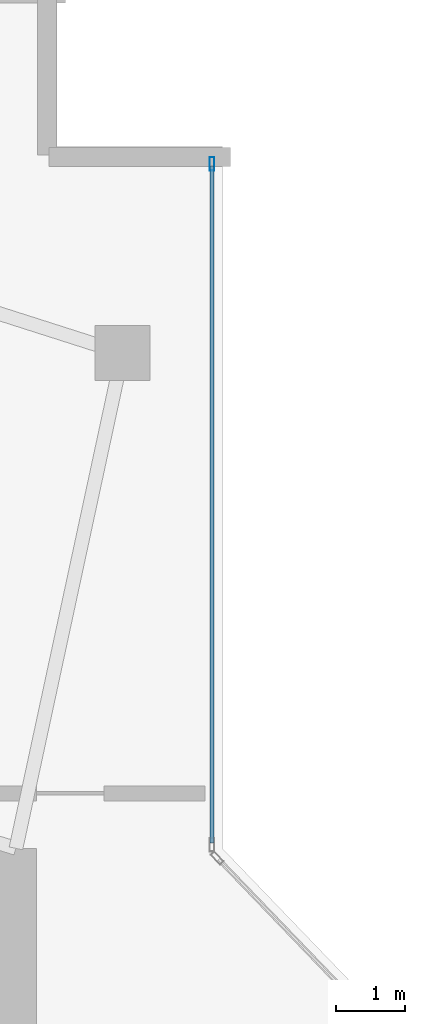
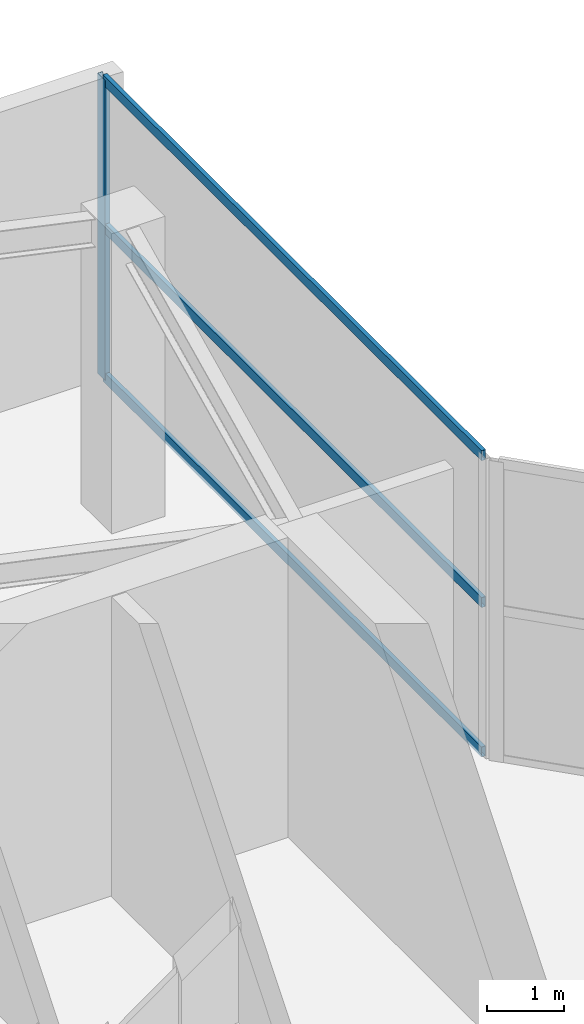
# One storey, part 18 of 22: 4 members, 1 element without a shape of its own.
"""IFC4 building model written with IfcOpenShell, lengths in metres."""

import ifcopenshell
import ifcopenshell.guid

model = None  # the IFC model being written
_history = None  # IfcOwnerHistory: only IFC2X3 demands one
_inside = {}  # id of a spatial element -> (the spatial element, [elements in it])
_under = {}  # id of a project, library or spatial element -> (it, [spatial elements below it])
_declared = {}  # id of a project -> (the project, [libraries it declares])
_typed = {}  # id of a type object -> (the type object, [elements of that type])
_made_of = {}  # id of a material, layer set ... -> (it, [elements and type objects made of it])


def new_model(schema):
    """Start an empty IFC model of exactly this schema.

    Asked for "IFC4X3", IfcOpenShell would pick the latest addendum, in which some entities
    have other attributes; the version numbers below select the first issue.
    IFC2X3 requires an IfcOwnerHistory on every rooted entity: one is made here for all.
    """
    global model, _history
    if schema == "IFC4X3":
        model = ifcopenshell.file(schema_version=(4, 3, 0, 0))
    else:
        model = ifcopenshell.file(schema=schema)
    _inside.clear()
    _under.clear()
    _declared.clear()
    _typed.clear()
    _made_of.clear()
    _history = None
    if model.schema == "IFC2X3":
        org = make("IfcOrganization", Name="unknown")
        user = make(
            "IfcPersonAndOrganization",
            ThePerson=make("IfcPerson", FamilyName="unknown"),
            TheOrganization=org,
        )
        app = make(
            "IfcApplication",
            ApplicationDeveloper=org,
            Version="unknown",
            ApplicationFullName="unknown",
            ApplicationIdentifier="unknown",
        )
        _history = make(
            "IfcOwnerHistory",
            OwningUser=user,
            OwningApplication=app,
            ChangeAction="ADDED",
            CreationDate=0,
        )
    return model


def make(cls, **values):
    """One entity of the class cls with the attributes given. An attribute that is None is left unset."""
    return model.create_entity(
        cls, **{name: value for name, value in values.items() if value is not None}
    )


def rooted(cls, **values):
    """An entity with a GlobalId (a new one), such as an element, a storey or a relation."""
    return make(cls, GlobalId=ifcopenshell.guid.new(), OwnerHistory=_history, **values)


def si_unit(unit_type, name, prefix=None):
    """IfcSIUnit, for example si_unit("LENGTHUNIT", "METRE", prefix="MILLI")."""
    return make("IfcSIUnit", UnitType=unit_type, Prefix=prefix, Name=name)


def assignment(units):
    """IfcUnitAssignment: the units of a project."""
    return None if units is None else make("IfcUnitAssignment", Units=units)


def point(xyz):
    """IfcCartesianPoint."""
    return None if xyz is None else make("IfcCartesianPoint", Coordinates=xyz)


def direction(xyz):
    """IfcDirection."""
    return None if xyz is None else make("IfcDirection", DirectionRatios=xyz)


def frame(location, z_axis=None, x_axis=None):
    """IfcAxis2Placement3D, a coordinate frame: its origin and axes. An axis left out is left unset."""
    return make(
        "IfcAxis2Placement3D",
        Location=point(location),
        Axis=direction(z_axis),
        RefDirection=direction(x_axis),
    )


def frame_2d(location, x_axis=None):
    """IfcAxis2Placement2D, a coordinate frame in the plane: its origin and x axis."""
    return make(
        "IfcAxis2Placement2D", Location=point(location), RefDirection=direction(x_axis)
    )


def origin():
    """The frame at (0, 0, 0) with its axes left unset."""
    return frame((0.0, 0.0, 0.0))


def origin_2d():
    """The frame at (0, 0) in the plane with its x axis left unset."""
    return frame_2d((0.0, 0.0))


def place(relative_to, where):
    """IfcLocalPlacement: puts the frame where relative to a parent placement (None: the world)."""
    return make(
        "IfcLocalPlacement", PlacementRelTo=relative_to, RelativePlacement=where
    )


def context(
    kind, dimensions, precision=None, world=None, true_north=None, identifier=None
):
    """IfcGeometricRepresentationContext, for example the 3D "Model" context."""
    return make(
        "IfcGeometricRepresentationContext",
        ContextIdentifier=identifier,
        ContextType=kind,
        CoordinateSpaceDimension=dimensions,
        Precision=precision,
        WorldCoordinateSystem=world,
        TrueNorth=true_north,
    )


def subcontext(parent, identifier, kind, view, scale=None):
    """IfcGeometricRepresentationSubContext, for example "Body" below "Model"."""
    return make(
        "IfcGeometricRepresentationSubContext",
        ContextIdentifier=identifier,
        ContextType=kind,
        ParentContext=parent,
        TargetScale=scale,
        TargetView=view,
    )


def project(units=None, contexts=None):
    """IfcProject with its units and contexts."""
    return rooted(
        "IfcProject",
        Name="project",
        RepresentationContexts=contexts,
        UnitsInContext=assignment(units),
    )


def spatial(cls, under=None, at=None, **own):
    """A site, building, storey or space (cls), placed at a placement, below another one or the project."""
    s = rooted(cls, ObjectPlacement=at, **own)
    if under is not None:
        _under.setdefault(under.id(), (under, []))[1].append(s)
    return s


def profile(cls, at=None, kind="AREA", **sizes):
    """A parametric profile (cls). Its sizes go by their IFC names, for example OverallWidth=200.0."""
    return make(cls, ProfileType=kind, Position=at, **sizes)


def hollow_rectangle(**sizes):
    """IfcRectangleHollowProfileDef."""
    return profile("IfcRectangleHollowProfileDef", **sizes)


def extrude(swept, where, along, depth):
    """IfcExtrudedAreaSolid: the profile swept, set in the frame where, extruded along a direction by depth."""
    return make(
        "IfcExtrudedAreaSolid",
        SweptArea=swept,
        Position=where,
        ExtrudedDirection=direction(along),
        Depth=depth,
    )


def shape(context_of_items, identifier, shape_type, items):
    """IfcShapeRepresentation: the items that make up one representation, for example the "Body"."""
    return make(
        "IfcShapeRepresentation",
        ContextOfItems=context_of_items,
        RepresentationIdentifier=identifier,
        RepresentationType=shape_type,
        Items=items,
    )


def material(Name=None, Category=None):
    """IfcMaterial."""
    return make("IfcMaterial", Name=Name, Category=Category)


def layer(
    of_material, thickness, ventilated=None, Name=None, Category=None, Priority=None
):
    """IfcMaterialLayer: one layer of a wall or slab, of a material (None: an air gap)."""
    return make(
        "IfcMaterialLayer",
        Material=of_material,
        LayerThickness=thickness,
        IsVentilated=ventilated,
        Name=Name,
        Category=Category,
        Priority=Priority,
    )


def layer_set(layers, Name=None):
    """IfcMaterialLayerSet."""
    return make("IfcMaterialLayerSet", MaterialLayers=layers, LayerSetName=Name)


def material_profile(
    of_material, cross_section, Name=None, Category=None, Priority=None
):
    """IfcMaterialProfile: a cross section and its material."""
    return make(
        "IfcMaterialProfile",
        Name=Name,
        Material=of_material,
        Profile=cross_section,
        Priority=Priority,
        Category=Category,
    )


def profile_set(profiles, Name=None, composite=None):
    """IfcMaterialProfileSet."""
    return make(
        "IfcMaterialProfileSet",
        Name=Name,
        MaterialProfiles=profiles,
        CompositeProfile=composite,
    )


def made_of(thing, what):
    """Note that an element or type object is made of a material, layer set ...; save() writes the relation."""
    if what is not None:
        _made_of.setdefault(what.id(), (what, []))[1].append(thing)
    return thing


def type_object(cls, material=None, **own):
    """A type object (cls), such as IfcWallType, which elements share."""
    return made_of(rooted(cls, **own), material)


def element(
    cls,
    number,
    at=None,
    inside=None,
    cuts=None,
    type_object=None,
    material=None,
    context=None,
    identifier="Body",
    shape_type=None,
    held_by="IfcProductDefinitionShape",
    body=None,
    shapes=None,
    **own,
):
    """One element of the class cls, such as IfcWall. Its Tag is "e" and its number.

    at: its placement. inside: the storey or other place that contains it. cuts: it is an
    opening in that element (IfcRelVoidsElement). A single representation is given by context,
    identifier, shape_type and body (its items); several are given by shapes. held_by: the class
    of the entity that holds the representations. save() writes the other relations.
    """
    e = rooted(cls, Tag="e%d" % number, ObjectPlacement=at, **own)
    if body is not None:
        shapes = [shape(context, identifier, shape_type, body)]
    if shapes is not None:
        e.Representation = make(held_by, Representations=shapes)
    if inside is not None:
        _inside.setdefault(inside.id(), (inside, []))[1].append(e)
    if cuts is not None:
        rooted(
            "IfcRelVoidsElement", RelatingBuildingElement=cuts, RelatedOpeningElement=e
        )
    if type_object is not None:
        _typed.setdefault(type_object.id(), (type_object, []))[1].append(e)
    return made_of(e, material)


def aggregate(whole, parts):
    """IfcRelAggregates: a whole, such as a stair, and the parts it consists of."""
    return rooted("IfcRelAggregates", RelatingObject=whole, RelatedObjects=parts)


def save(model, path):
    """Write the relations noted so far, then the file.

    IfcRelAggregates (storeys below a building ...), IfcRelContainedInSpatialStructure (elements
    in a storey), IfcRelDefinesByType, IfcRelAssociatesMaterial and IfcRelDeclares: one each for
    every whole, place, type object, material and project.
    """
    for whole, parts in _under.values():
        aggregate(whole, parts)
    for where, things in _inside.values():
        rooted(
            "IfcRelContainedInSpatialStructure",
            RelatedElements=things,
            RelatingStructure=where,
        )
    for kind, things in _typed.values():
        rooted("IfcRelDefinesByType", RelatedObjects=things, RelatingType=kind)
    for what, things in _made_of.values():
        rooted("IfcRelAssociatesMaterial", RelatedObjects=things, RelatingMaterial=what)
    for by, libraries in _declared.values():
        rooted("IfcRelDeclares", RelatingContext=by, RelatedDefinitions=libraries)
    model.write(path)


model = new_model("IFC4")

# Units and contexts
model_context = context("Model", 3, precision=1e-05, world=origin(), true_north=direction((0.0, 1.0)))
body_context = subcontext(model_context, "Body", "Model", "MODEL_VIEW")
ifc_project = project(units=[si_unit("LENGTHUNIT", "METRE"), si_unit("AREAUNIT", "SQUARE_METRE"), si_unit("VOLUMEUNIT", "CUBIC_METRE"), si_unit("PLANEANGLEUNIT", "RADIAN"), si_unit("MASSUNIT", "GRAM", prefix="KILO")], contexts=[model_context])

# Site, building, storey
site_placement = place(None, origin())
site = spatial("IfcSite", under=ifc_project, at=site_placement, CompositionType="ELEMENT")
building_placement = place(site_placement, origin())
building = spatial("IfcBuilding", under=site, at=building_placement, Name="Calvorn Quay Hotel", CompositionType="ELEMENT")
storey_placement = place(building_placement, frame((0.0, 0.0, 325.5)))
storey = spatial("IfcBuildingStorey", under=building, at=storey_placement, Name="L80", CompositionType="ELEMENT", Elevation=325.5)

# Curtain wall, members
ifc_material_1 = material(Name="Pale Anodised Aluminium and Laminated Glass", Category="aluminium")
ifc_layer = layer(ifc_material_1, 0.219970703125)
ifc_layer_set = layer_set([ifc_layer], Name="CW-SYS-CRN")
curtain_wall_type = type_object("IfcCurtainWallType", Name="CW-SYS-CRN", PredefinedType="NOTDEFINED", material=ifc_layer_set)
curtain_wall_placement = place(storey_placement, origin())
curtain_wall = element("IfcCurtainWall", 1, at=curtain_wall_placement, inside=storey, type_object=curtain_wall_type, Name="Crown Curtain Wall L80-C4", PredefinedType="NOTDEFINED")
ifc_material_2 = material(Name="Pale Anodised Aluminium 6063-T6", Category="aluminium")
ifc_material_profile_1 = material_profile(ifc_material_2, hollow_rectangle(XDim=0.072021484375, YDim=0.195068359375, WallThickness=0.00390625, at=origin_2d()), Name="ALU-M195x72x4")
ifc_profile_set_1 = profile_set([ifc_material_profile_1], Name="Pale Anodised Aluminium 6063-T6")
member_type_1 = type_object("IfcMemberType", Name="CW-SYS-CRN-MUL", PredefinedType="MULLION", material=ifc_profile_set_1)
member_1_placement = place(storey_placement, frame((17.85009765625, 48.35009765625, 0.0), z_axis=(0.0, 0.0, 1.0), x_axis=(-1.0, 0.0, 0.0)))
member_1 = element("IfcMember", 2, at=member_1_placement, type_object=member_type_1, Name="CW-L80-C4 mullion 2", PredefinedType="MULLION", context=body_context, shape_type="SweptSolid", body=[
    extrude(hollow_rectangle(XDim=0.072021484375, YDim=0.195068359375, WallThickness=0.00390625, at=origin_2d()), origin(), (0.0, 0.0, 1.0), 4.760009765625),
])
ifc_material_3 = material(Name="Pale Anodised Aluminium 6063-T6", Category="aluminium")
ifc_material_profile_2 = material_profile(ifc_material_3, hollow_rectangle(XDim=0.06201171875, YDim=0.159912109375, WallThickness=0.00341796875, at=origin_2d()), Name="ALU-T160x62x3.5")
ifc_profile_set_2 = profile_set([ifc_material_profile_2], Name="Pale Anodised Aluminium 6063-T6")
member_type_2 = type_object("IfcMemberType", Name="CW-SYS-CRN-TRN", PredefinedType="USERDEFINED", material=ifc_profile_set_2)
member_2_placement = place(storey_placement, frame((17.85009765625, 38.47998046875, 0.030029296875), z_axis=(0.0, 1.0, 0.0), x_axis=(-1.0, 0.0, 0.0)))
member_2 = element("IfcMember", 3, at=member_2_placement, type_object=member_type_2, Name="CW-L80-C4 transom 1.1", ObjectType="TRANSOM", PredefinedType="USERDEFINED", context=body_context, shape_type="SweptSolid", body=[
    extrude(hollow_rectangle(XDim=0.06201171875, YDim=0.159912109375, WallThickness=0.00341796875, at=origin_2d()), origin(), (0.0, 0.0, 1.0), 9.840087890625),
])
member_3_placement = place(storey_placement, frame((17.85009765625, 38.47998046875, 2.39990234375), z_axis=(0.0, 1.0, 0.0), x_axis=(-1.0, 0.0, 0.0)))
member_3 = element("IfcMember", 4, at=member_3_placement, type_object=member_type_2, Name="CW-L80-C4 transom 1.2", ObjectType="TRANSOM", PredefinedType="USERDEFINED", context=body_context, shape_type="SweptSolid", body=[
    extrude(hollow_rectangle(XDim=0.06201171875, YDim=0.159912109375, WallThickness=0.00341796875, at=origin_2d()), origin(), (0.0, 0.0, 1.0), 9.840087890625),
])
member_4_placement = place(storey_placement, frame((17.85009765625, 38.47998046875, 4.72998046875), z_axis=(0.0, 1.0, 0.0), x_axis=(-1.0, 0.0, 0.0)))
member_4 = element("IfcMember", 5, at=member_4_placement, type_object=member_type_2, Name="CW-L80-C4 transom 1.3", ObjectType="TRANSOM", PredefinedType="USERDEFINED", context=body_context, shape_type="SweptSolid", body=[
    extrude(hollow_rectangle(XDim=0.06201171875, YDim=0.159912109375, WallThickness=0.00341796875, at=origin_2d()), origin(), (0.0, 0.0, 1.0), 9.840087890625),
])
aggregate(curtain_wall, [member_1, member_2, member_3, member_4])

save(model, "model.ifc")
